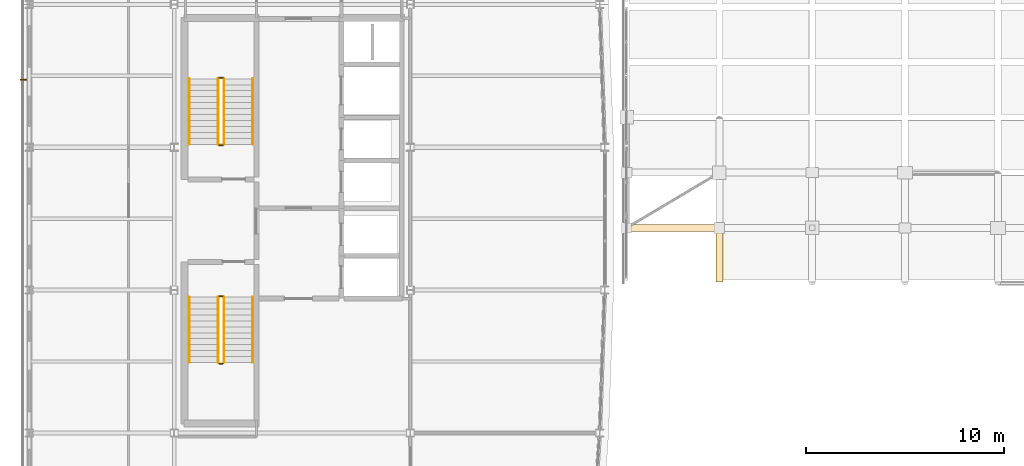
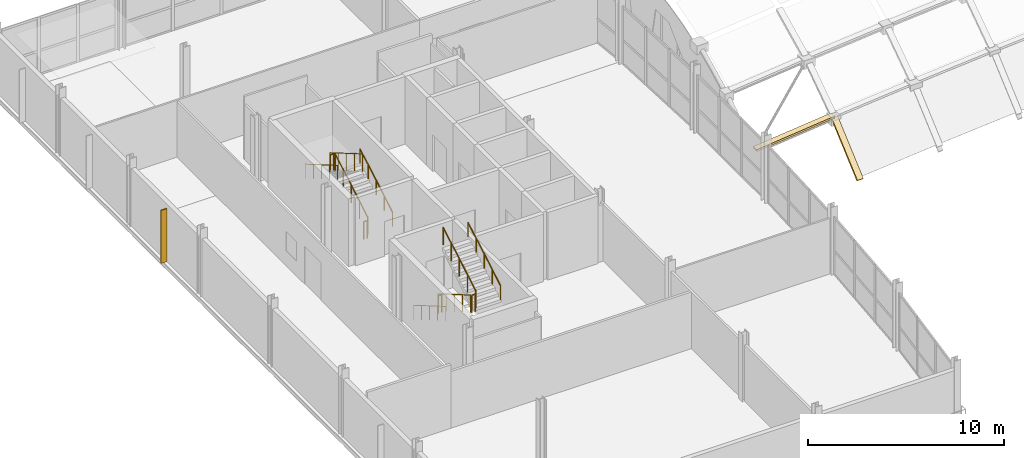
# One storey, part 61 of 65: 12 railings, 2 coverings, 1 shading device.
"""IFC4 building model written with IfcOpenShell, lengths in metres."""

from ifc_helpers import new_model, si_unit, direction, frame, origin, origin_2d, place, context, subcontext, project, spatial, polyline, rectangle, circle, outline, extrude, material, layer, layer_set, type_object, element, save


model = new_model("IFC4")

# Units and contexts
model_context = context("Model", 3, precision=1e-05, world=origin(), true_north=direction((0.0, 1.0)))
body_context = subcontext(model_context, "Body", "Model", "MODEL_VIEW")
ifc_project = project(units=[si_unit("LENGTHUNIT", "METRE"), si_unit("AREAUNIT", "SQUARE_METRE"), si_unit("VOLUMEUNIT", "CUBIC_METRE"), si_unit("PLANEANGLEUNIT", "RADIAN"), si_unit("MASSUNIT", "GRAM", prefix="KILO")], contexts=[model_context])

# Site, building, storey
site_placement = place(None, origin())
site = spatial("IfcSite", under=ifc_project, at=site_placement, CompositionType="ELEMENT")
building_placement = place(site_placement, origin())
building = spatial("IfcBuilding", under=site, at=building_placement, Name="Quillay Park Conservatory", CompositionType="ELEMENT")
storey_placement = place(building_placement, frame((0.0, 0.0, 14.10009765625)))
storey = spatial("IfcBuildingStorey", under=building, at=storey_placement, Name="L03", CompositionType="ELEMENT", Elevation=14.10009765625)

# Coverings
ifc_material_1 = material(Name="Thermally Broken Anodised Aluminium 6063-T6", Category="aluminium")
ifc_layer = layer(ifc_material_1, 0.090087890625)
ifc_layer_set = layer_set([ifc_layer], Name="GRIDSHELL GLAZING CAP BAR 90 (Thermally Broken Anodised Aluminium 6063-T6)")
covering_type = type_object("IfcCoveringType", Name="GRIDSHELL GLAZING CAP BAR 90", PredefinedType="CLADDING", material=ifc_layer_set)
covering_1_placement = place(storey_placement, frame((35.15283203125, 85.60009765625, -0.941162109375), z_axis=(0.0, -0.660113439794, 0.751165924815), x_axis=(1.0, 0.0, 0.0)))
element("IfcCovering", 1, at=covering_1_placement, inside=storey, type_object=covering_type, Name="Gridshell Transverse Glazing Cap Bar 01-00", PredefinedType="CLADDING", context=body_context, shape_type="SweptSolid", body=[
    extrude(outline(polyline([(0.0, 0.0), (0.349853515625, 0.0), (0.349853515625, 3.574196278652572), (0.0, 3.574196278652572), (0.0, 0.0)])), origin(), (0.0, 0.0, -1.0), 0.1201171875),
])
covering_2_placement = place(storey_placement, frame((30.699951171875, 88.159912109375, 0.968994140625), z_axis=(-0.105220344611, 0.0, 0.994448932364), x_axis=(0.994448932364, 0.0, 0.105220344611)))
element("IfcCovering", 2, at=covering_2_placement, inside=storey, type_object=covering_type, Name="Gridshell Longitudinal Glazing Cap Bar 00-01", PredefinedType="CLADDING", context=body_context, shape_type="SweptSolid", body=[
    extrude(outline(polyline([(0.0, 0.0), (4.603434837516112, 0.0), (4.603434837516112, 0.35009765625), (0.0, 0.35009765625), (0.0, 0.0)])), origin(), (0.0, 0.0, -1.0), 0.1201171875),
])

# Railings
ifc_material_2 = material(Name="Steel S355J2H", Category="steel")
railing_type_1 = type_object("IfcRailingType", Name="STAIR WALL HANDRAIL 900", PredefinedType="HANDRAIL", material=ifc_material_2)
railing_1_placement = place(storey_placement, frame((11.820068359375, 92.550048828125, 0.1748046875)))
element("IfcRailing", 3, at=railing_1_placement, inside=storey, type_object=railing_type_1, Name="L03 ST-T1 stair handrail 1", PredefinedType="HANDRAIL", context=body_context, shape_type="SweptSolid", body=[
    extrude(circle(Radius=0.02392578125, at=origin_2d()), frame((0.0, 0.0, 0.8759765625), z_axis=(0.0, 0.863776583165, 0.503874998761), x_axis=(-1.0, 0.0, 0.0)), (0.0, 0.0, 1.0), 3.820556640625),
    extrude(circle(Radius=0.02099609375, at=origin_2d()), origin(), (0.0, 0.0, 1.0), 0.851806640625),
    extrude(circle(Radius=0.02099609375, at=origin_2d()), frame((0.0, 0.824951171875, 0.481201171875)), (0.0, 0.0, 1.0), 0.851806640625),
    extrude(circle(Radius=0.02099609375, at=origin_2d()), frame((0.0, 1.64990234375, 0.96240234375)), (0.0, 0.0, 1.0), 0.851806640625),
    extrude(circle(Radius=0.02099609375, at=origin_2d()), frame((0.0, 2.47509765625, 1.44384765625)), (0.0, 0.0, 1.0), 0.851806640625),
    extrude(circle(Radius=0.02099609375, at=origin_2d()), frame((0.0, 3.300048828125, 1.925048828125)), (0.0, 0.0, 1.0), 0.851806640625),
])
for number, where, name in (
    (4, (8.60009765625, 95.85009765625, 2.27490234375), "L03 ST-T1 stair handrail 2"),
    (5, (8.60009765625, 84.85009765625, 0.1748046875), "L03 ST-T2 stair handrail 1"),
):
    element("IfcRailing", number, at=place(storey_placement, frame(where)), inside=storey, type_object=railing_type_1, Name=name, PredefinedType="HANDRAIL", context=body_context, shape_type="SweptSolid", body=[
        extrude(circle(Radius=0.02392578125, at=origin_2d()), frame((0.0, 0.0, 0.8759765625), z_axis=(0.0, -0.863776583165, 0.503874998761), x_axis=(1.0, 0.0, 0.0)), (0.0, 0.0, 1.0), 3.820556640625),
        extrude(circle(Radius=0.02099609375, at=origin_2d()), origin(), (0.0, 0.0, 1.0), 0.851806640625),
        extrude(circle(Radius=0.02099609375, at=origin_2d()), frame((0.0, -0.824951171875, 0.481201171875)), (0.0, 0.0, 1.0), 0.851806640625),
        extrude(circle(Radius=0.02099609375, at=origin_2d()), frame((0.0, -1.64990234375, 0.96240234375)), (0.0, 0.0, 1.0), 0.851806640625),
        extrude(circle(Radius=0.02099609375, at=origin_2d()), frame((0.0, -2.47509765625, 1.44384765625)), (0.0, 0.0, 1.0), 0.851806640625),
        extrude(circle(Radius=0.02099609375, at=origin_2d()), frame((0.0, -3.300048828125, 1.925048828125)), (0.0, 0.0, 1.0), 0.851806640625),
    ])
railing_2_placement = place(storey_placement, frame((11.820068359375, 81.550048828125, 2.27490234375)))
element("IfcRailing", 6, at=railing_2_placement, inside=storey, type_object=railing_type_1, Name="L03 ST-T2 stair handrail 2", PredefinedType="HANDRAIL", context=body_context, shape_type="SweptSolid", body=[
    extrude(circle(Radius=0.02392578125, at=origin_2d()), frame((0.0, 0.0, 0.8759765625), z_axis=(0.0, 0.863776583165, 0.503874998761), x_axis=(-1.0, 0.0, 0.0)), (0.0, 0.0, 1.0), 3.820556640625),
    extrude(circle(Radius=0.02099609375, at=origin_2d()), origin(), (0.0, 0.0, 1.0), 0.851806640625),
    extrude(circle(Radius=0.02099609375, at=origin_2d()), frame((0.0, 0.824951171875, 0.481201171875)), (0.0, 0.0, 1.0), 0.851806640625),
    extrude(circle(Radius=0.02099609375, at=origin_2d()), frame((0.0, 1.64990234375, 0.96240234375)), (0.0, 0.0, 1.0), 0.851806640625),
    extrude(circle(Radius=0.02099609375, at=origin_2d()), frame((0.0, 2.47509765625, 1.44384765625)), (0.0, 0.0, 1.0), 0.851806640625),
    extrude(circle(Radius=0.02099609375, at=origin_2d()), frame((0.0, 3.300048828125, 1.925048828125)), (0.0, 0.0, 1.0), 0.851806640625),
])
ifc_material_3 = material(Name="Steel S355J2H", Category="steel")
railing_type_2 = type_object("IfcRailingType", Name="STAIR WELL GUARDRAIL 1100", PredefinedType="GUARDRAIL", material=ifc_material_3)
railing_3_placement = place(storey_placement, frame((10.360107421875, 92.550048828125, 0.1748046875)))
element("IfcRailing", 7, at=railing_3_placement, inside=storey, type_object=railing_type_2, Name="L03 ST-T1 stair guard 1", PredefinedType="GUARDRAIL", context=body_context, shape_type="SweptSolid", body=[
    extrude(circle(Radius=0.02392578125, at=origin_2d()), frame((0.0, 0.0, 1.076171875), z_axis=(0.0, 0.863776583165, 0.503874998761), x_axis=(-1.0, 0.0, 0.0)), (0.0, 0.0, 1.0), 3.820556640625),
    extrude(circle(Radius=0.02099609375, at=origin_2d()), origin(), (0.0, 0.0, 1.0), 1.052001953125),
    extrude(circle(Radius=0.02099609375, at=origin_2d()), frame((0.0, 0.824951171875, 0.481201171875)), (0.0, 0.0, 1.0), 1.052001953125),
    extrude(circle(Radius=0.02099609375, at=origin_2d()), frame((0.0, 1.64990234375, 0.96240234375)), (0.0, 0.0, 1.0), 1.052001953125),
    extrude(circle(Radius=0.02099609375, at=origin_2d()), frame((0.0, 2.47509765625, 1.44384765625)), (0.0, 0.0, 1.0), 1.052001953125),
    extrude(circle(Radius=0.02099609375, at=origin_2d()), frame((0.0, 3.300048828125, 1.925048828125)), (0.0, 0.0, 1.0), 1.052001953125),
])
railing_4_placement = place(storey_placement, frame((10.31005859375, 95.89990234375, 2.099853515625)))
element("IfcRailing", 8, at=railing_4_placement, inside=storey, type_object=railing_type_2, Name="L03 ST-T1 stair guard 2", PredefinedType="GUARDRAIL", context=body_context, shape_type="SweptSolid", body=[
    extrude(circle(Radius=0.02392578125, at=origin_2d()), frame((0.0, 0.0, 1.076171875), z_axis=(-1.0, 0.0, 0.0), x_axis=(0.0, -1.0, 0.0)), (0.0, 0.0, 1.0), 0.199951171875),
    extrude(circle(Radius=0.02099609375, at=origin_2d()), origin(), (0.0, 0.0, 1.0), 1.052001953125),
    extrude(circle(Radius=0.02099609375, at=origin_2d()), frame((-0.199951171875, 0.0, 0.0)), (0.0, 0.0, 1.0), 1.052001953125),
])
railing_5_placement = place(storey_placement, frame((10.06005859375, 95.85009765625, 2.27490234375)))
element("IfcRailing", 9, at=railing_5_placement, inside=storey, type_object=railing_type_2, Name="L03 ST-T1 stair guard 3", PredefinedType="GUARDRAIL", context=body_context, shape_type="SweptSolid", body=[
    extrude(circle(Radius=0.02392578125, at=origin_2d()), frame((0.0, 0.0, 1.076171875), z_axis=(0.0, -0.863776583165, 0.503874998761), x_axis=(1.0, 0.0, 0.0)), (0.0, 0.0, 1.0), 3.820556640625),
    extrude(circle(Radius=0.02099609375, at=origin_2d()), origin(), (0.0, 0.0, 1.0), 1.052001953125),
    extrude(circle(Radius=0.02099609375, at=origin_2d()), frame((0.0, -0.824951171875, 0.481201171875)), (0.0, 0.0, 1.0), 1.052001953125),
    extrude(circle(Radius=0.02099609375, at=origin_2d()), frame((0.0, -1.64990234375, 0.96240234375)), (0.0, 0.0, 1.0), 1.052001953125),
    extrude(circle(Radius=0.02099609375, at=origin_2d()), frame((0.0, -2.47509765625, 1.44384765625)), (0.0, 0.0, 1.0), 1.052001953125),
    extrude(circle(Radius=0.02099609375, at=origin_2d()), frame((0.0, -3.300048828125, 1.925048828125)), (0.0, 0.0, 1.0), 1.052001953125),
])
railing_6_placement = place(storey_placement, frame((10.31005859375, 92.5, 0.0)))
element("IfcRailing", 10, at=railing_6_placement, inside=storey, type_object=railing_type_2, Name="L03 ST-T1 stair guard 4", PredefinedType="GUARDRAIL", context=body_context, shape_type="SweptSolid", body=[
    extrude(circle(Radius=0.02392578125, at=origin_2d()), frame((0.0, 0.0, 1.076171875), z_axis=(-1.0, 0.0, 0.0), x_axis=(0.0, -1.0, 0.0)), (0.0, 0.0, 1.0), 0.199951171875),
    extrude(circle(Radius=0.02099609375, at=origin_2d()), origin(), (0.0, 0.0, 1.0), 1.052001953125),
    extrude(circle(Radius=0.02099609375, at=origin_2d()), frame((-0.199951171875, 0.0, 0.0)), (0.0, 0.0, 1.0), 1.052001953125),
])
railing_7_placement = place(storey_placement, frame((10.06005859375, 84.85009765625, 0.1748046875)))
element("IfcRailing", 11, at=railing_7_placement, inside=storey, type_object=railing_type_2, Name="L03 ST-T2 stair guard 1", PredefinedType="GUARDRAIL", context=body_context, shape_type="SweptSolid", body=[
    extrude(circle(Radius=0.02392578125, at=origin_2d()), frame((0.0, 0.0, 1.076171875), z_axis=(0.0, -0.863776583165, 0.503874998761), x_axis=(1.0, 0.0, 0.0)), (0.0, 0.0, 1.0), 3.820556640625),
    extrude(circle(Radius=0.02099609375, at=origin_2d()), origin(), (0.0, 0.0, 1.0), 1.052001953125),
    extrude(circle(Radius=0.02099609375, at=origin_2d()), frame((0.0, -0.824951171875, 0.481201171875)), (0.0, 0.0, 1.0), 1.052001953125),
    extrude(circle(Radius=0.02099609375, at=origin_2d()), frame((0.0, -1.64990234375, 0.96240234375)), (0.0, 0.0, 1.0), 1.052001953125),
    extrude(circle(Radius=0.02099609375, at=origin_2d()), frame((0.0, -2.47509765625, 1.44384765625)), (0.0, 0.0, 1.0), 1.052001953125),
    extrude(circle(Radius=0.02099609375, at=origin_2d()), frame((0.0, -3.300048828125, 1.925048828125)), (0.0, 0.0, 1.0), 1.052001953125),
])
railing_8_placement = place(storey_placement, frame((10.110107421875, 81.5, 2.099853515625)))
element("IfcRailing", 12, at=railing_8_placement, inside=storey, type_object=railing_type_2, Name="L03 ST-T2 stair guard 2", PredefinedType="GUARDRAIL", context=body_context, shape_type="SweptSolid", body=[
    extrude(circle(Radius=0.02392578125, at=origin_2d()), frame((0.0, 0.0, 1.076171875), z_axis=(1.0, 0.0, 0.0), x_axis=(0.0, 1.0, 0.0)), (0.0, 0.0, 1.0), 0.199951171875),
    extrude(circle(Radius=0.02099609375, at=origin_2d()), origin(), (0.0, 0.0, 1.0), 1.052001953125),
    extrude(circle(Radius=0.02099609375, at=origin_2d()), frame((0.199951171875, 0.0, 0.0)), (0.0, 0.0, 1.0), 1.052001953125),
])
railing_9_placement = place(storey_placement, frame((10.360107421875, 81.550048828125, 2.27490234375)))
element("IfcRailing", 13, at=railing_9_placement, inside=storey, type_object=railing_type_2, Name="L03 ST-T2 stair guard 3", PredefinedType="GUARDRAIL", context=body_context, shape_type="SweptSolid", body=[
    extrude(circle(Radius=0.02392578125, at=origin_2d()), frame((0.0, 0.0, 1.076171875), z_axis=(0.0, 0.863776583165, 0.503874998761), x_axis=(-1.0, 0.0, 0.0)), (0.0, 0.0, 1.0), 3.820556640625),
    extrude(circle(Radius=0.02099609375, at=origin_2d()), origin(), (0.0, 0.0, 1.0), 1.052001953125),
    extrude(circle(Radius=0.02099609375, at=origin_2d()), frame((0.0, 0.824951171875, 0.481201171875)), (0.0, 0.0, 1.0), 1.052001953125),
    extrude(circle(Radius=0.02099609375, at=origin_2d()), frame((0.0, 1.64990234375, 0.96240234375)), (0.0, 0.0, 1.0), 1.052001953125),
    extrude(circle(Radius=0.02099609375, at=origin_2d()), frame((0.0, 2.47509765625, 1.44384765625)), (0.0, 0.0, 1.0), 1.052001953125),
    extrude(circle(Radius=0.02099609375, at=origin_2d()), frame((0.0, 3.300048828125, 1.925048828125)), (0.0, 0.0, 1.0), 1.052001953125),
])
railing_10_placement = place(storey_placement, frame((10.110107421875, 84.89990234375, 0.0)))
element("IfcRailing", 14, at=railing_10_placement, inside=storey, type_object=railing_type_2, Name="L03 ST-T2 stair guard 4", PredefinedType="GUARDRAIL", context=body_context, shape_type="SweptSolid", body=[
    extrude(circle(Radius=0.02392578125, at=origin_2d()), frame((0.0, 0.0, 1.076171875), z_axis=(1.0, 0.0, 0.0), x_axis=(0.0, 1.0, 0.0)), (0.0, 0.0, 1.0), 0.199951171875),
    extrude(circle(Radius=0.02099609375, at=origin_2d()), origin(), (0.0, 0.0, 1.0), 1.052001953125),
    extrude(circle(Radius=0.02099609375, at=origin_2d()), frame((0.199951171875, 0.0, 0.0)), (0.0, 0.0, 1.0), 1.052001953125),
])

# Shading device
ifc_material_4 = material(Name="Perforated Copper-Bronze Anodised Aluminium", Category="aluminium")
shading_device_type = type_object("IfcShadingDeviceType", Name="COPPER BRONZE SOLAR FIN", PredefinedType="USERDEFINED", material=ifc_material_4)
shading_device_placement = place(storey_placement, frame((0.2548828125, 95.800048828125, 0.0), z_axis=(0.0, 0.0, 1.0), x_axis=(1.0, 0.0, 0.0)))
element("IfcShadingDevice", 15, at=shading_device_placement, inside=storey, type_object=shading_device_type, Name="L03 Perforated Copper-Bronze Solar Fin 008", ObjectType="SOLAR FIN", PredefinedType="USERDEFINED", context=body_context, shape_type="SweptSolid", body=[
    extrude(rectangle(XDim=0.35009765625, YDim=0.054931640625, at=origin_2d()), origin(), (0.0, 0.0, 1.0), 3.300048828125),
])

save(model, "model.ifc")
